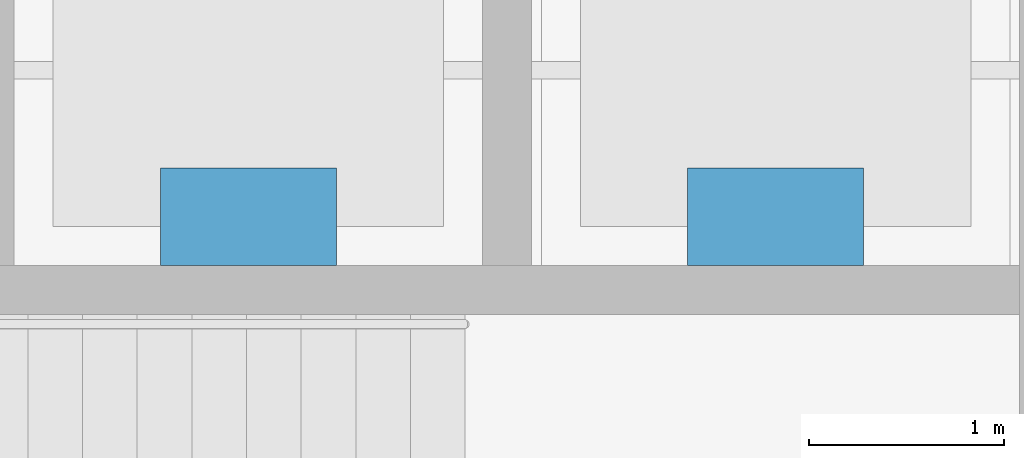
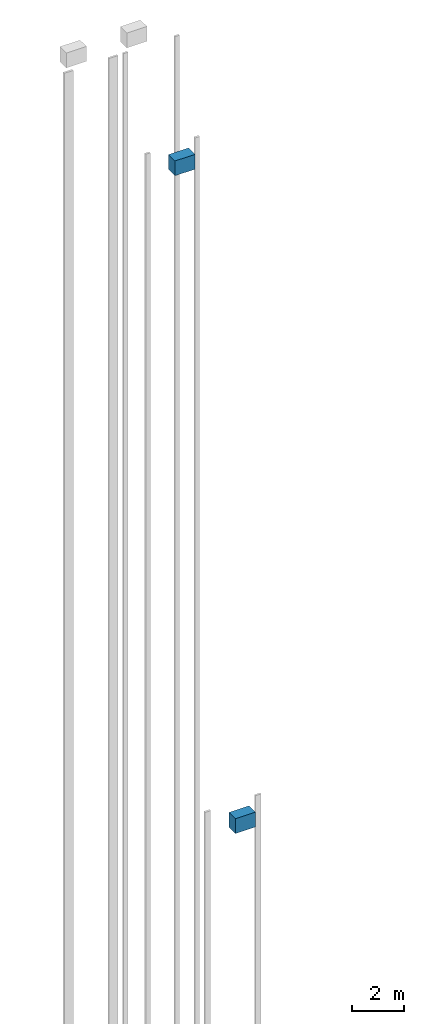
# One storey, part 26 of 41: 2 discrete accessories.
"""IFC4 building model written with IfcOpenShell, lengths in metres."""

from ifc_helpers import new_model, si_unit, direction, frame, origin, origin_2d, place, context, subcontext, project, spatial, rectangle, extrude, material, type_object, element, save


model = new_model("IFC4")

# Units and contexts
model_context = context("Model", 3, precision=1e-05, world=origin(), true_north=direction((0.0, 1.0)))
body_context = subcontext(model_context, "Body", "Model", "MODEL_VIEW")
ifc_project = project(units=[si_unit("LENGTHUNIT", "METRE"), si_unit("AREAUNIT", "SQUARE_METRE"), si_unit("VOLUMEUNIT", "CUBIC_METRE"), si_unit("PLANEANGLEUNIT", "RADIAN"), si_unit("MASSUNIT", "GRAM", prefix="KILO")], contexts=[model_context])

# Site, building, storey
site_placement = place(None, origin())
site = spatial("IfcSite", under=ifc_project, at=site_placement, CompositionType="ELEMENT")
building_placement = place(site_placement, origin())
building = spatial("IfcBuilding", under=site, at=building_placement, Name="Corbel Yard City Hall", CompositionType="ELEMENT")
storey_placement = place(building_placement, frame((0.0, 0.0, -4.5)))
storey = spatial("IfcBuildingStorey", under=building, at=storey_placement, Name="B1", CompositionType="ELEMENT", Elevation=-4.5)

# Discrete accessories
ifc_material = material(Name="Steel Grade G250", Category="steel")
discrete_accessory_type = type_object("IfcDiscreteAccessoryType", Name="LM1", PredefinedType="USERDEFINED", material=ifc_material)
for number, where, z_axis, x_axis, name in (
    (1, (49.550048828125, 103.800048828125, 78.2998046875), (0.0, 0.0, 1.0), (1.0, 0.0, 0.0), "Lift LP25 drive machine"),
    (2, (52.25, 103.800048828125, 46.2998046875), (0.0, 0.0, 1.0), (1.0, 0.0, 0.0), "Lift LP26 drive machine"),
):
    element("IfcDiscreteAccessory", number, at=place(storey_placement, frame(where, z_axis=z_axis, x_axis=x_axis)), inside=storey, type_object=discrete_accessory_type, Name=name, ObjectType="LIFT MACHINE", PredefinedType="USERDEFINED", context=body_context, shape_type="SweptSolid", body=[
        extrude(rectangle(XDim=0.89990234375, YDim=0.5, at=origin_2d()), origin(), (0.0, 0.0, 1.0), 0.699951171875),
    ])

save(model, "model.ifc")
